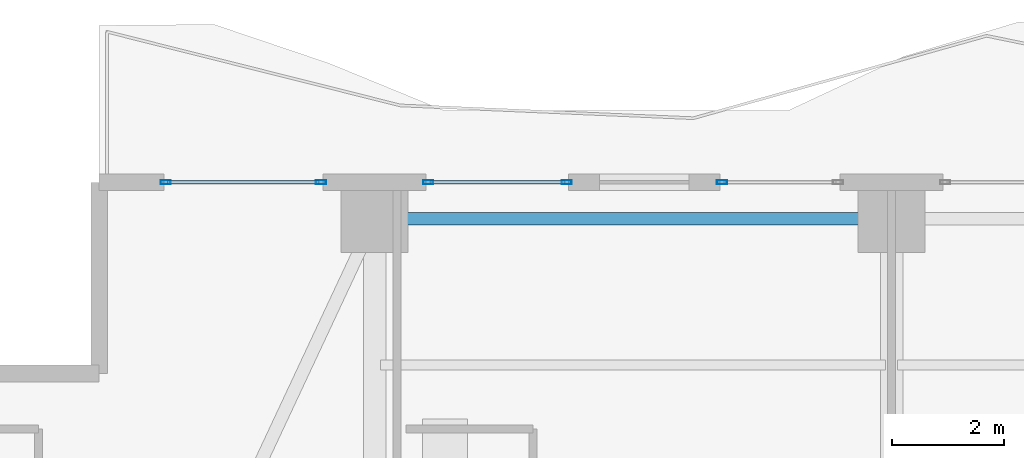
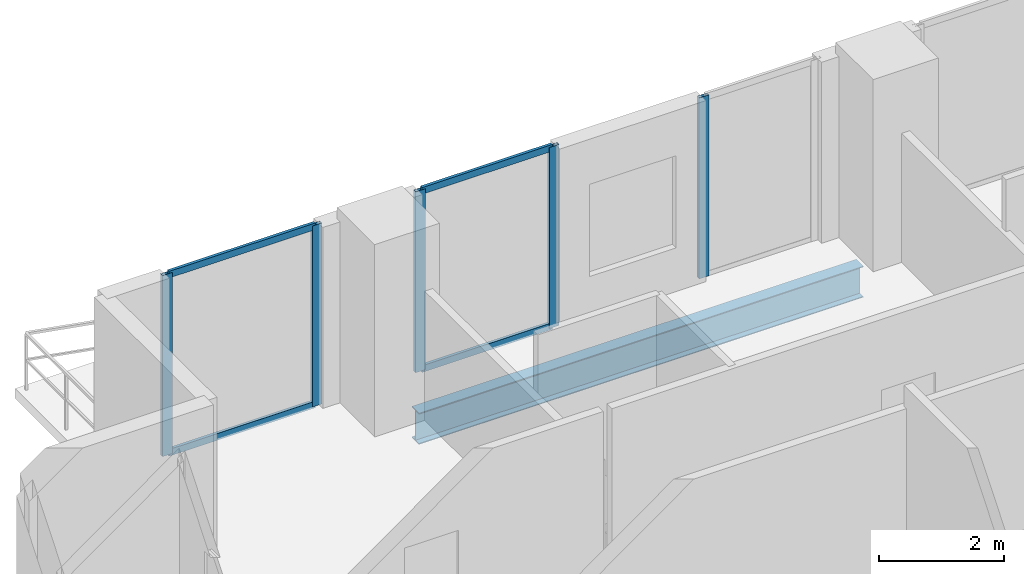
# One storey, part 18 of 33: 9 members, 1 beam, 3 elements without a shape of their own.
"""IFC4 building model written with IfcOpenShell, lengths in metres."""

import ifcopenshell
import ifcopenshell.guid

model = None  # the IFC model being written
_history = None  # IfcOwnerHistory: only IFC2X3 demands one
_inside = {}  # id of a spatial element -> (the spatial element, [elements in it])
_under = {}  # id of a project, library or spatial element -> (it, [spatial elements below it])
_declared = {}  # id of a project -> (the project, [libraries it declares])
_typed = {}  # id of a type object -> (the type object, [elements of that type])
_made_of = {}  # id of a material, layer set ... -> (it, [elements and type objects made of it])


def new_model(schema):
    """Start an empty IFC model of exactly this schema.

    Asked for "IFC4X3", IfcOpenShell would pick the latest addendum, in which some entities
    have other attributes; the version numbers below select the first issue.
    IFC2X3 requires an IfcOwnerHistory on every rooted entity: one is made here for all.
    """
    global model, _history
    if schema == "IFC4X3":
        model = ifcopenshell.file(schema_version=(4, 3, 0, 0))
    else:
        model = ifcopenshell.file(schema=schema)
    _inside.clear()
    _under.clear()
    _declared.clear()
    _typed.clear()
    _made_of.clear()
    _history = None
    if model.schema == "IFC2X3":
        org = make("IfcOrganization", Name="unknown")
        user = make(
            "IfcPersonAndOrganization",
            ThePerson=make("IfcPerson", FamilyName="unknown"),
            TheOrganization=org,
        )
        app = make(
            "IfcApplication",
            ApplicationDeveloper=org,
            Version="unknown",
            ApplicationFullName="unknown",
            ApplicationIdentifier="unknown",
        )
        _history = make(
            "IfcOwnerHistory",
            OwningUser=user,
            OwningApplication=app,
            ChangeAction="ADDED",
            CreationDate=0,
        )
    return model


def make(cls, **values):
    """One entity of the class cls with the attributes given. An attribute that is None is left unset."""
    return model.create_entity(
        cls, **{name: value for name, value in values.items() if value is not None}
    )


def rooted(cls, **values):
    """An entity with a GlobalId (a new one), such as an element, a storey or a relation."""
    return make(cls, GlobalId=ifcopenshell.guid.new(), OwnerHistory=_history, **values)


def si_unit(unit_type, name, prefix=None):
    """IfcSIUnit, for example si_unit("LENGTHUNIT", "METRE", prefix="MILLI")."""
    return make("IfcSIUnit", UnitType=unit_type, Prefix=prefix, Name=name)


def assignment(units):
    """IfcUnitAssignment: the units of a project."""
    return None if units is None else make("IfcUnitAssignment", Units=units)


def point(xyz):
    """IfcCartesianPoint."""
    return None if xyz is None else make("IfcCartesianPoint", Coordinates=xyz)


def direction(xyz):
    """IfcDirection."""
    return None if xyz is None else make("IfcDirection", DirectionRatios=xyz)


def frame(location, z_axis=None, x_axis=None):
    """IfcAxis2Placement3D, a coordinate frame: its origin and axes. An axis left out is left unset."""
    return make(
        "IfcAxis2Placement3D",
        Location=point(location),
        Axis=direction(z_axis),
        RefDirection=direction(x_axis),
    )


def frame_2d(location, x_axis=None):
    """IfcAxis2Placement2D, a coordinate frame in the plane: its origin and x axis."""
    return make(
        "IfcAxis2Placement2D", Location=point(location), RefDirection=direction(x_axis)
    )


def origin():
    """The frame at (0, 0, 0) with its axes left unset."""
    return frame((0.0, 0.0, 0.0))


def origin_2d():
    """The frame at (0, 0) in the plane with its x axis left unset."""
    return frame_2d((0.0, 0.0))


def place(relative_to, where):
    """IfcLocalPlacement: puts the frame where relative to a parent placement (None: the world)."""
    return make(
        "IfcLocalPlacement", PlacementRelTo=relative_to, RelativePlacement=where
    )


def context(
    kind, dimensions, precision=None, world=None, true_north=None, identifier=None
):
    """IfcGeometricRepresentationContext, for example the 3D "Model" context."""
    return make(
        "IfcGeometricRepresentationContext",
        ContextIdentifier=identifier,
        ContextType=kind,
        CoordinateSpaceDimension=dimensions,
        Precision=precision,
        WorldCoordinateSystem=world,
        TrueNorth=true_north,
    )


def subcontext(parent, identifier, kind, view, scale=None):
    """IfcGeometricRepresentationSubContext, for example "Body" below "Model"."""
    return make(
        "IfcGeometricRepresentationSubContext",
        ContextIdentifier=identifier,
        ContextType=kind,
        ParentContext=parent,
        TargetScale=scale,
        TargetView=view,
    )


def project(units=None, contexts=None):
    """IfcProject with its units and contexts."""
    return rooted(
        "IfcProject",
        Name="project",
        RepresentationContexts=contexts,
        UnitsInContext=assignment(units),
    )


def spatial(cls, under=None, at=None, **own):
    """A site, building, storey or space (cls), placed at a placement, below another one or the project."""
    s = rooted(cls, ObjectPlacement=at, **own)
    if under is not None:
        _under.setdefault(under.id(), (under, []))[1].append(s)
    return s


def profile(cls, at=None, kind="AREA", **sizes):
    """A parametric profile (cls). Its sizes go by their IFC names, for example OverallWidth=200.0."""
    return make(cls, ProfileType=kind, Position=at, **sizes)


def hollow_rectangle(**sizes):
    """IfcRectangleHollowProfileDef."""
    return profile("IfcRectangleHollowProfileDef", **sizes)


def i_section(**sizes):
    """IfcIShapeProfileDef."""
    return profile("IfcIShapeProfileDef", **sizes)


def extrude(swept, where, along, depth):
    """IfcExtrudedAreaSolid: the profile swept, set in the frame where, extruded along a direction by depth."""
    return make(
        "IfcExtrudedAreaSolid",
        SweptArea=swept,
        Position=where,
        ExtrudedDirection=direction(along),
        Depth=depth,
    )


def shape(context_of_items, identifier, shape_type, items):
    """IfcShapeRepresentation: the items that make up one representation, for example the "Body"."""
    return make(
        "IfcShapeRepresentation",
        ContextOfItems=context_of_items,
        RepresentationIdentifier=identifier,
        RepresentationType=shape_type,
        Items=items,
    )


def material(Name=None, Category=None):
    """IfcMaterial."""
    return make("IfcMaterial", Name=Name, Category=Category)


def layer(
    of_material, thickness, ventilated=None, Name=None, Category=None, Priority=None
):
    """IfcMaterialLayer: one layer of a wall or slab, of a material (None: an air gap)."""
    return make(
        "IfcMaterialLayer",
        Material=of_material,
        LayerThickness=thickness,
        IsVentilated=ventilated,
        Name=Name,
        Category=Category,
        Priority=Priority,
    )


def layer_set(layers, Name=None):
    """IfcMaterialLayerSet."""
    return make("IfcMaterialLayerSet", MaterialLayers=layers, LayerSetName=Name)


def material_profile(
    of_material, cross_section, Name=None, Category=None, Priority=None
):
    """IfcMaterialProfile: a cross section and its material."""
    return make(
        "IfcMaterialProfile",
        Name=Name,
        Material=of_material,
        Profile=cross_section,
        Priority=Priority,
        Category=Category,
    )


def profile_set(profiles, Name=None, composite=None):
    """IfcMaterialProfileSet."""
    return make(
        "IfcMaterialProfileSet",
        Name=Name,
        MaterialProfiles=profiles,
        CompositeProfile=composite,
    )


def made_of(thing, what):
    """Note that an element or type object is made of a material, layer set ...; save() writes the relation."""
    if what is not None:
        _made_of.setdefault(what.id(), (what, []))[1].append(thing)
    return thing


def type_object(cls, material=None, **own):
    """A type object (cls), such as IfcWallType, which elements share."""
    return made_of(rooted(cls, **own), material)


def element(
    cls,
    number,
    at=None,
    inside=None,
    cuts=None,
    type_object=None,
    material=None,
    context=None,
    identifier="Body",
    shape_type=None,
    held_by="IfcProductDefinitionShape",
    body=None,
    shapes=None,
    **own,
):
    """One element of the class cls, such as IfcWall. Its Tag is "e" and its number.

    at: its placement. inside: the storey or other place that contains it. cuts: it is an
    opening in that element (IfcRelVoidsElement). A single representation is given by context,
    identifier, shape_type and body (its items); several are given by shapes. held_by: the class
    of the entity that holds the representations. save() writes the other relations.
    """
    e = rooted(cls, Tag="e%d" % number, ObjectPlacement=at, **own)
    if body is not None:
        shapes = [shape(context, identifier, shape_type, body)]
    if shapes is not None:
        e.Representation = make(held_by, Representations=shapes)
    if inside is not None:
        _inside.setdefault(inside.id(), (inside, []))[1].append(e)
    if cuts is not None:
        rooted(
            "IfcRelVoidsElement", RelatingBuildingElement=cuts, RelatedOpeningElement=e
        )
    if type_object is not None:
        _typed.setdefault(type_object.id(), (type_object, []))[1].append(e)
    return made_of(e, material)


def aggregate(whole, parts):
    """IfcRelAggregates: a whole, such as a stair, and the parts it consists of."""
    return rooted("IfcRelAggregates", RelatingObject=whole, RelatedObjects=parts)


def save(model, path):
    """Write the relations noted so far, then the file.

    IfcRelAggregates (storeys below a building ...), IfcRelContainedInSpatialStructure (elements
    in a storey), IfcRelDefinesByType, IfcRelAssociatesMaterial and IfcRelDeclares: one each for
    every whole, place, type object, material and project.
    """
    for whole, parts in _under.values():
        aggregate(whole, parts)
    for where, things in _inside.values():
        rooted(
            "IfcRelContainedInSpatialStructure",
            RelatedElements=things,
            RelatingStructure=where,
        )
    for kind, things in _typed.values():
        rooted("IfcRelDefinesByType", RelatedObjects=things, RelatingType=kind)
    for what, things in _made_of.values():
        rooted("IfcRelAssociatesMaterial", RelatedObjects=things, RelatingMaterial=what)
    for by, libraries in _declared.values():
        rooted("IfcRelDeclares", RelatingContext=by, RelatedDefinitions=libraries)
    model.write(path)


model = new_model("IFC4")

# Units and contexts
model_context = context("Model", 3, precision=1e-05, world=origin(), true_north=direction((0.0, 1.0)))
body_context = subcontext(model_context, "Body", "Model", "MODEL_VIEW")
ifc_project = project(units=[si_unit("LENGTHUNIT", "METRE"), si_unit("AREAUNIT", "SQUARE_METRE"), si_unit("VOLUMEUNIT", "CUBIC_METRE"), si_unit("PLANEANGLEUNIT", "RADIAN"), si_unit("MASSUNIT", "GRAM", prefix="KILO")], contexts=[model_context])

# Site, building, storey
site_placement = place(None, origin())
site = spatial("IfcSite", under=ifc_project, at=site_placement, CompositionType="ELEMENT")
building_placement = place(site_placement, origin())
building = spatial("IfcBuilding", under=site, at=building_placement, Name="Zuhayl Quay Hotel", CompositionType="ELEMENT")
storey_placement = place(building_placement, frame((0.0, 0.0, 211.14990234375)))
storey = spatial("IfcBuildingStorey", under=building, at=storey_placement, Name="L53", CompositionType="ELEMENT", Elevation=211.14990234375)

# Beam
ifc_material_1 = material(Name="Steel ASTM A992 Grade 50", Category="steel")
ifc_material_profile_1 = material_profile(ifc_material_1, i_section(OverallWidth=0.22802734375, OverallDepth=0.60693359375, WebThickness=0.01123046875, FlangeThickness=0.017333984375, at=origin_2d()), Name="W24X76")
ifc_profile_set_1 = profile_set([ifc_material_profile_1], Name="Steel ASTM A992 Grade 50")
beam_type = type_object("IfcBeamType", Name="BM_B3_W24X76", PredefinedType="BEAM", material=ifc_profile_set_1)
beam_placement = place(storey_placement, frame((-5.10009765625, 32.949951171875, -0.5234375), z_axis=(-1.0, 0.0, 0.0), x_axis=(0.0, -1.0, 0.0)))
element("IfcBeam", 1, at=beam_placement, inside=storey, type_object=beam_type, Name="L53 Floor Beam RG_L53_09", PredefinedType="BEAM", context=body_context, shape_type="SweptSolid", body=[
    extrude(i_section(OverallWidth=0.22802734375, OverallDepth=0.60693359375, WebThickness=0.01123046875, FlangeThickness=0.017333984375, at=origin_2d()), origin(), (0.0, 0.0, 1.0), 8.199951171875),
])

# Curtain wall, members
ifc_material_2 = material(Name="Anodised Aluminium 6063-T6", Category="aluminium")
ifc_layer = layer(ifc_material_2, 0.175048828125, Name="Anodised Aluminium 6063-T6", Category="aluminium")
ifc_layer_set = layer_set([ifc_layer], Name="Anodised Aluminium 6063-T6")
curtain_wall_type = type_object("IfcCurtainWallType", Name="CW_SYS_Z3", PredefinedType="USERDEFINED", material=ifc_layer_set)
curtain_wall_1_placement = place(storey_placement, origin())
curtain_wall_1 = element("IfcCurtainWall", 2, at=curtain_wall_1_placement, inside=storey, type_object=curtain_wall_type, Name="L53 Curtain Wall ENV_L53_N_CW1", ObjectType="UNITISED CURTAIN WALL", PredefinedType="USERDEFINED")
ifc_material_3 = material(Name="Black-anodised aluminium 6063-T6", Category="aluminium")
ifc_material_profile_2 = material_profile(ifc_material_3, hollow_rectangle(XDim=0.06494140625, YDim=0.179931640625, WallThickness=0.00341796875, at=origin_2d()), Name="ALU180X65")
ifc_profile_set_2 = profile_set([ifc_material_profile_2], Name="Black-anodised aluminium 6063-T6")
member_type_1 = type_object("IfcMemberType", Name="MB_CW_MUL_180", PredefinedType="MULLION", material=ifc_profile_set_2)
member_1_placement = place(storey_placement, frame((-17.517578125, 33.60009765625, 0.0), z_axis=(0.0, 0.0, 1.0), x_axis=(0.0, 1.0, 0.0)))
member_1 = element("IfcMember", 3, at=member_1_placement, type_object=member_type_1, Name="CW-Z3 mullion 1", PredefinedType="MULLION", context=body_context, shape_type="SweptSolid", body=[
    extrude(hollow_rectangle(XDim=0.06494140625, YDim=0.179931640625, WallThickness=0.00341796875, at=origin_2d()), origin(), (0.0, 0.0, 1.0), 3.530029296875),
])
member_2_placement = place(storey_placement, frame((-14.75244140625, 33.60009765625, 0.0), z_axis=(0.0, 0.0, 1.0), x_axis=(0.0, 1.0, 0.0)))
member_2 = element("IfcMember", 4, at=member_2_placement, type_object=member_type_1, Name="CW-Z3 mullion 2", PredefinedType="MULLION", context=body_context, shape_type="SweptSolid", body=[
    extrude(hollow_rectangle(XDim=0.06494140625, YDim=0.179931640625, WallThickness=0.00341796875, at=origin_2d()), origin(), (0.0, 0.0, 1.0), 3.530029296875),
])

curtain_wall_2_placement = place(storey_placement, origin())
curtain_wall_2 = element("IfcCurtainWall", 5, at=curtain_wall_2_placement, inside=storey, type_object=curtain_wall_type, Name="L53 Curtain Wall ENV_L53_N_CW2", ObjectType="UNITISED CURTAIN WALL", PredefinedType="USERDEFINED")
member_3_placement = place(storey_placement, frame((-12.847412109375, 33.60009765625, 0.0), z_axis=(0.0, 0.0, 1.0), x_axis=(0.0, 1.0, 0.0)))
member_3 = element("IfcMember", 6, at=member_3_placement, type_object=member_type_1, Name="CW-Z3 mullion 1", PredefinedType="MULLION", context=body_context, shape_type="SweptSolid", body=[
    extrude(hollow_rectangle(XDim=0.06494140625, YDim=0.179931640625, WallThickness=0.00341796875, at=origin_2d()), origin(), (0.0, 0.0, 1.0), 3.530029296875),
])
member_4_placement = place(storey_placement, frame((-10.382568359375, 33.60009765625, 0.0), z_axis=(0.0, 0.0, 1.0), x_axis=(0.0, 1.0, 0.0)))
member_4 = element("IfcMember", 7, at=member_4_placement, type_object=member_type_1, Name="CW-Z3 mullion 2", PredefinedType="MULLION", context=body_context, shape_type="SweptSolid", body=[
    extrude(hollow_rectangle(XDim=0.06494140625, YDim=0.179931640625, WallThickness=0.00341796875, at=origin_2d()), origin(), (0.0, 0.0, 1.0), 3.530029296875),
])

# Curtain wall, member
curtain_wall_3_placement = place(storey_placement, origin())
curtain_wall_3 = element("IfcCurtainWall", 8, at=curtain_wall_3_placement, inside=storey, type_object=curtain_wall_type, Name="L53 Curtain Wall ENV_L53_N_CW3", ObjectType="UNITISED CURTAIN WALL", PredefinedType="USERDEFINED")
member_5_placement = place(storey_placement, frame((-7.617431640625, 33.60009765625, 0.0), z_axis=(0.0, 0.0, 1.0), x_axis=(0.0, 1.0, 0.0)))
member_5 = element("IfcMember", 9, at=member_5_placement, type_object=member_type_1, Name="CW-Z3 mullion 1", PredefinedType="MULLION", context=body_context, shape_type="SweptSolid", body=[
    extrude(hollow_rectangle(XDim=0.06494140625, YDim=0.179931640625, WallThickness=0.00341796875, at=origin_2d()), origin(), (0.0, 0.0, 1.0), 3.530029296875),
])
aggregate(curtain_wall_3, [member_5])

# Member
ifc_material_profile_3 = material_profile(ifc_material_3, hollow_rectangle(XDim=0.054931640625, YDim=0.1298828125, WallThickness=0.0029296875, at=origin_2d()), Name="ALU130X55")
ifc_profile_set_3 = profile_set([ifc_material_profile_3], Name="Black-anodised aluminium 6063-T6")
member_type_2 = type_object("IfcMemberType", Name="MB_CW_TRN_130", PredefinedType="USERDEFINED", material=ifc_profile_set_3)
member_6_placement = place(storey_placement, frame((-17.485107421875, 33.60009765625, 0.027587890625), z_axis=(1.0, 0.0, 0.0), x_axis=(0.0, 1.0, 0.0)))
member_6 = element("IfcMember", 10, at=member_6_placement, type_object=member_type_2, Name="CW-Z3 transom 1.1", ObjectType="TRANSOM", PredefinedType="USERDEFINED", context=body_context, shape_type="SweptSolid", body=[
    extrude(hollow_rectangle(XDim=0.054931640625, YDim=0.1298828125, WallThickness=0.0029296875, at=origin_2d()), origin(), (0.0, 0.0, 1.0), 2.7001953125),
])

member_7_placement = place(storey_placement, frame((-17.485107421875, 33.60009765625, 3.502685546875), z_axis=(1.0, 0.0, 0.0), x_axis=(0.0, 1.0, 0.0)))
member_7 = element("IfcMember", 11, at=member_7_placement, type_object=member_type_2, Name="CW-Z3 transom 1.2", ObjectType="TRANSOM", PredefinedType="USERDEFINED", context=body_context, shape_type="SweptSolid", body=[
    extrude(hollow_rectangle(XDim=0.054931640625, YDim=0.1298828125, WallThickness=0.0029296875, at=origin_2d()), origin(), (0.0, 0.0, 1.0), 2.7001953125),
])

aggregate(curtain_wall_1, [member_1, member_2, member_6, member_7])

member_8_placement = place(storey_placement, frame((-12.81494140625, 33.60009765625, 0.027587890625), z_axis=(1.0, 0.0, 0.0), x_axis=(0.0, 1.0, 0.0)))
member_8 = element("IfcMember", 12, at=member_8_placement, type_object=member_type_2, Name="CW-Z3 transom 1.1", ObjectType="TRANSOM", PredefinedType="USERDEFINED", context=body_context, shape_type="SweptSolid", body=[
    extrude(hollow_rectangle(XDim=0.054931640625, YDim=0.1298828125, WallThickness=0.0029296875, at=origin_2d()), origin(), (0.0, 0.0, 1.0), 2.39990234375),
])

member_9_placement = place(storey_placement, frame((-12.81494140625, 33.60009765625, 3.502685546875), z_axis=(1.0, 0.0, 0.0), x_axis=(0.0, 1.0, 0.0)))
member_9 = element("IfcMember", 13, at=member_9_placement, type_object=member_type_2, Name="CW-Z3 transom 1.2", ObjectType="TRANSOM", PredefinedType="USERDEFINED", context=body_context, shape_type="SweptSolid", body=[
    extrude(hollow_rectangle(XDim=0.054931640625, YDim=0.1298828125, WallThickness=0.0029296875, at=origin_2d()), origin(), (0.0, 0.0, 1.0), 2.39990234375),
])

aggregate(curtain_wall_2, [member_3, member_4, member_8, member_9])

save(model, "model.ifc")
